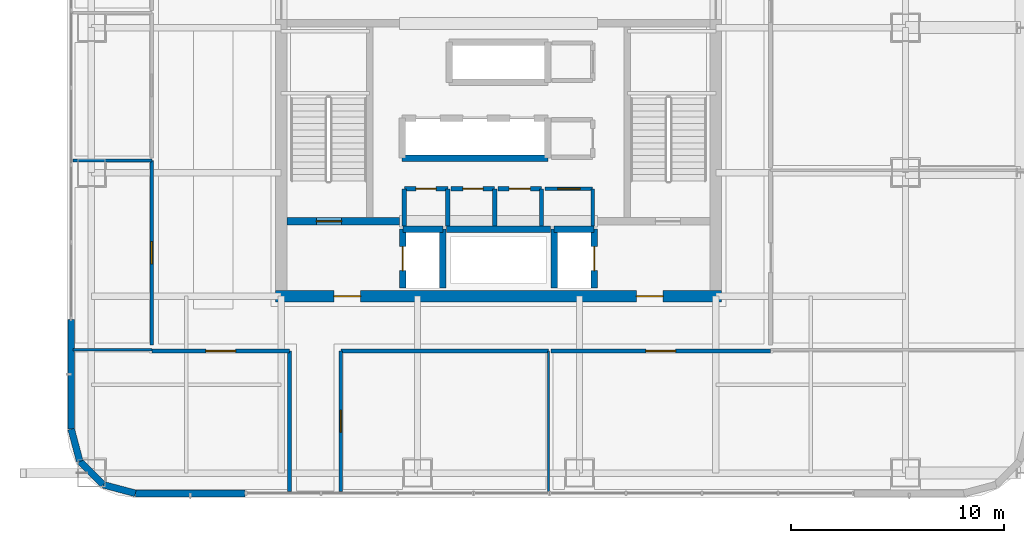
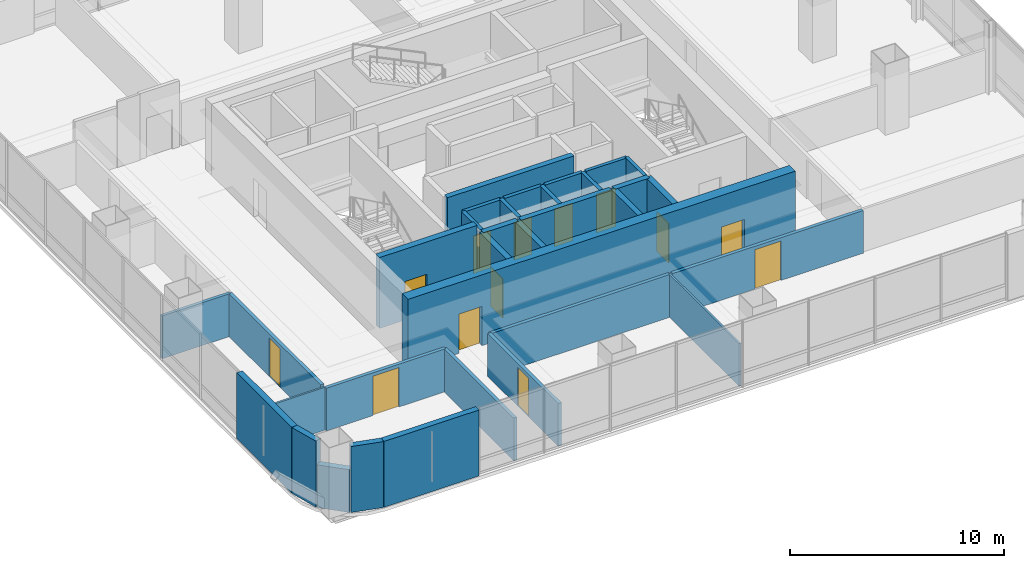
# One storey, part 36 of 51: 33 walls, 13 doors, 13 openings.
"""IFC4 building model written with IfcOpenShell, lengths in metres."""

from ifc_helpers import new_model, si_unit, direction, frame, frame_2d, origin, place, context, subcontext, project, spatial, rectangle, extrude, material, layer, layer_set, type_object, element, fill, save


model = new_model("IFC4")

# Units and contexts
model_context = context("Model", 3, precision=1e-05, world=origin(), true_north=direction((0.0, 1.0)))
body_context = subcontext(model_context, "Body", "Model", "MODEL_VIEW")
ifc_project = project(units=[si_unit("LENGTHUNIT", "METRE"), si_unit("AREAUNIT", "SQUARE_METRE"), si_unit("VOLUMEUNIT", "CUBIC_METRE"), si_unit("PLANEANGLEUNIT", "RADIAN"), si_unit("MASSUNIT", "GRAM", prefix="KILO")], contexts=[model_context])

# Site, building, storey
site_placement = place(None, origin())
site = spatial("IfcSite", under=ifc_project, at=site_placement, CompositionType="ELEMENT")
building_placement = place(site_placement, origin())
building = spatial("IfcBuilding", under=site, at=building_placement, Name="Punatoya Terracotta Tower", CompositionType="ELEMENT")
storey_placement = place(building_placement, frame((0.0, 0.0, 279.75)))
storey = spatial("IfcBuildingStorey", under=building, at=storey_placement, Name="L66", CompositionType="ELEMENT", Elevation=279.75)

# Wall, openings, doors
ifc_material_1 = material(Name="Concrete C50/60", Category="concrete")
ifc_layer_1 = layer(ifc_material_1, 0.550048828125)
ifc_layer_set_1 = layer_set([ifc_layer_1], Name="Concrete C50/60")
wall_type_1 = type_object("IfcWallType", Name="WL-COR-550", PredefinedType="SHEAR", material=ifc_layer_set_1)
wall_1_placement = place(storey_placement, frame((10.47509765625, -9.199951171875, 0.0), z_axis=(0.0, 0.0, 1.0), x_axis=(-1.0, 0.0, 0.0)))
wall_1 = element("IfcWall", 1, at=wall_1_placement, inside=storey, type_object=wall_type_1, Name="L66 Core Shear Wall S", PredefinedType="SHEAR", context=body_context, shape_type="SweptSolid", body=[
    extrude(rectangle(XDim=20.9501953125, YDim=0.550048828125, at=frame_2d((10.47509765625, 0.0))), origin(), (0.0, 0.0, 1.0), 4.050048828125),
])
opening_1_placement = place(wall_1_placement, frame((2.75, 0.0, 0.0)))
opening_1 = element("IfcOpeningElement", 2, at=opening_1_placement, cuts=wall_1, Name="Opening FD-L1", PredefinedType="OPENING", context=body_context, shape_type="SweptSolid", body=[
    extrude(rectangle(XDim=1.25, YDim=2.25, at=frame_2d((0.625, 1.125))), frame((0.0, 0.284912109375, 0.0), z_axis=(0.0, -1.0, 0.0), x_axis=(1.0, 0.0, 0.0)), (0.0, 0.0, 1.0), 0.570068359375),
])
opening_2_placement = place(wall_1_placement, frame((16.949951171875, 0.0, 0.0)))
opening_2 = element("IfcOpeningElement", 3, at=opening_2_placement, cuts=wall_1, Name="Opening FD-L1", PredefinedType="OPENING", context=body_context, shape_type="SweptSolid", body=[
    extrude(rectangle(XDim=1.25, YDim=2.25, at=frame_2d((0.625, 1.125))), frame((0.0, 0.284912109375, 0.0), z_axis=(0.0, -1.0, 0.0), x_axis=(1.0, 0.0, 0.0)), (0.0, 0.0, 1.0), 0.570068359375),
])
ifc_material_2 = material(Name="Galvanised Steel Smokeproof Fire Door", Category="steel")
door_type_1 = type_object("IfcDoorType", Name="DR-FFL-1250", OperationType="NOTDEFINED", PredefinedType="DOOR", material=ifc_material_2)
door_1_placement = place(opening_1_placement, origin())
door_1 = element("IfcDoor", 4, at=door_1_placement, inside=storey, type_object=door_type_1, Name="L66 East Firefighting Lobby Corridor Fire Door", OperationType="SINGLE_SWING_LEFT", OverallHeight=2.25, OverallWidth=1.25, PredefinedType="DOOR", context=body_context, shape_type="SweptSolid", body=[
    extrude(rectangle(XDim=1.25, YDim=2.25, at=frame_2d((0.625, 1.125))), frame((0.0, 0.02490234375, 0.0), z_axis=(0.0, -1.0, 0.0), x_axis=(1.0, 0.0, 0.0)), (0.0, 0.0, 1.0), 0.050048828125),
])
fill(opening_1, door_1)
door_2_placement = place(opening_2_placement, origin())
door_2 = element("IfcDoor", 5, at=door_2_placement, inside=storey, type_object=door_type_1, Name="L66 West Firefighting Lobby Corridor Fire Door", OperationType="SINGLE_SWING_RIGHT", OverallHeight=2.25, OverallWidth=1.25, PredefinedType="DOOR", context=body_context, shape_type="SweptSolid", body=[
    extrude(rectangle(XDim=1.25, YDim=2.25, at=frame_2d((0.625, 1.125))), frame((0.0, 0.02490234375, 0.0), z_axis=(0.0, -1.0, 0.0), x_axis=(1.0, 0.0, 0.0)), (0.0, 0.0, 1.0), 0.050048828125),
])
fill(opening_2, door_2)

# Wall
ifc_material_3 = material(Name="Gypsum Fireboard + Steel Stud", Category="steel")
ifc_layer_2 = layer(ifc_material_3, 0.179931640625)
ifc_layer_set_2 = layer_set([ifc_layer_2], Name="Gypsum Fireboard + Steel Stud")
wall_type_2 = type_object("IfcWallType", Name="WL-CORR-180", PredefinedType="PARTITIONING", material=ifc_layer_set_2)
wall_2_placement = place(storey_placement, frame((4.419921875, -5.89990234375, 0.0), z_axis=(0.0, 0.0, 1.0), x_axis=(0.0, 1.0, 0.0)))
element("IfcWall", 6, at=wall_2_placement, inside=storey, type_object=wall_type_2, Name="L66 Core Reprographics Studio Partition 08", PredefinedType="PARTITIONING", context=body_context, shape_type="SweptSolid", body=[
    extrude(rectangle(XDim=1.739990234375, YDim=0.179931640625, at=frame_2d((0.8701171875, 0.0))), origin(), (0.0, 0.0, 1.0), 3.77001953125),
])

# Wall, opening, door
wall_3_placement = place(storey_placement, frame((4.419921875, -4.159912109375, 0.0), z_axis=(0.0, 0.0, 1.0), x_axis=(-1.0, 0.0, 0.0)))
wall_3 = element("IfcWall", 7, at=wall_3_placement, inside=storey, type_object=wall_type_2, Name="L66 Core Reprographics Studio Partition 09", PredefinedType="PARTITIONING", context=body_context, shape_type="SweptSolid", body=[
    extrude(rectangle(XDim=2.239990234375, YDim=0.179931640625, at=frame_2d((1.1201171875, 0.0))), origin(), (0.0, 0.0, 1.0), 3.77001953125),
])
opening_3_placement = place(wall_3_placement, frame((0.594970703125, 0.0, 0.0)))
opening_3 = element("IfcOpeningElement", 8, at=opening_3_placement, cuts=wall_3, Name="Opening OD-01", PredefinedType="OPENING", context=body_context, shape_type="SweptSolid", body=[
    extrude(rectangle(XDim=1.050048828125, YDim=2.199951171875, at=frame_2d((0.52490234375, 1.10009765625))), frame((0.0, 0.099853515625, 0.0), z_axis=(0.0, -1.0, 0.0), x_axis=(1.0, 0.0, 0.0)), (0.0, 0.0, 1.0), 0.199951171875),
])
ifc_material_4 = material(Name="Bengal Teak Solid-Core Leaf")
door_type_2 = type_object("IfcDoorType", Name="DR-OFF-1050", OperationType="NOTDEFINED", PredefinedType="DOOR", material=ifc_material_4)
door_3_placement = place(opening_3_placement, origin())
door_3 = element("IfcDoor", 9, at=door_3_placement, inside=storey, type_object=door_type_2, Name="L66 Reprographics Studio Door", OperationType="SINGLE_SWING_LEFT", OverallHeight=2.199951171875, OverallWidth=1.050048828125, PredefinedType="DOOR", context=body_context, shape_type="SweptSolid", body=[
    extrude(rectangle(XDim=1.050048828125, YDim=2.199951171875, at=frame_2d((0.52490234375, 1.10009765625))), frame((0.0, 0.02490234375, 0.0), z_axis=(0.0, -1.0, 0.0), x_axis=(1.0, 0.0, 0.0)), (0.0, 0.0, 1.0), 0.050048828125),
])
fill(opening_3, door_3)

wall_4_placement = place(storey_placement, frame((-7.39990234375, -18.3701171875, 0.0), z_axis=(0.0, 0.0, 1.0), x_axis=(0.0, 1.0, 0.0)))
wall_4 = element("IfcWall", 10, at=wall_4_placement, inside=storey, type_object=wall_type_2, Name="L66 Open-Plan Plenary Seminar Room Partition 25", PredefinedType="PARTITIONING", context=body_context, shape_type="SweptSolid", body=[
    extrude(rectangle(XDim=6.60009765625, YDim=0.179931640625, at=frame_2d((3.300048828125, 0.0))), origin(), (0.0, 0.0, 1.0), 2.444091796875),
])
opening_4_placement = place(wall_4_placement, frame((2.7900390625, 0.0, 0.0)))
opening_4 = element("IfcOpeningElement", 11, at=opening_4_placement, cuts=wall_4, Name="Opening MD-01", PredefinedType="OPENING", context=body_context, shape_type="SweptSolid", body=[
    extrude(rectangle(XDim=1.02001953125, YDim=2.199951171875, at=frame_2d((0.510009765625, 1.10009765625))), frame((0.0, 0.099853515625, 0.0), z_axis=(0.0, -1.0, 0.0), x_axis=(1.0, 0.0, 0.0)), (0.0, 0.0, 1.0), 0.199951171875),
])
ifc_material_5 = material(Name="Aluminium + Acoustic Glass Leaf", Category="aluminium")
door_type_3 = type_object("IfcDoorType", Name="DR-MTG-1020", OperationType="NOTDEFINED", PredefinedType="DOOR", material=ifc_material_5)
door_4_placement = place(opening_4_placement, origin())
door_4 = element("IfcDoor", 12, at=door_4_placement, inside=storey, type_object=door_type_3, Name="L66 Open-Plan Plenary Seminar Room Door", OperationType="SINGLE_SWING_LEFT", OverallHeight=2.199951171875, OverallWidth=1.02001953125, PredefinedType="DOOR", context=body_context, shape_type="SweptSolid", body=[
    extrude(rectangle(XDim=1.02001953125, YDim=2.199951171875, at=frame_2d((0.510009765625, 1.10009765625))), frame((0.0, 0.02490234375, 0.0), z_axis=(0.0, -1.0, 0.0), x_axis=(1.0, 0.0, 0.0)), (0.0, 0.0, 1.0), 0.050048828125),
])
fill(opening_4, door_4)

# Wall
wall_5_placement = place(storey_placement, frame((-7.39990234375, -11.77001953125, 0.0), z_axis=(0.0, 0.0, 1.0), x_axis=(1.0, 0.0, 0.0)))
element("IfcWall", 13, at=wall_5_placement, inside=storey, type_object=wall_type_2, Name="L66 Open-Plan Plenary Seminar Room Partition 26", PredefinedType="PARTITIONING", context=body_context, shape_type="SweptSolid", body=[
    extrude(rectangle(XDim=9.739990234375, YDim=0.179931640625, at=frame_2d((4.8701171875, 0.0))), origin(), (0.0, 0.0, 1.0), 2.444091796875),
])

# Wall, opening, door
wall_6_placement = place(storey_placement, frame((-16.27001953125, -11.77001953125, 0.0), z_axis=(0.0, 0.0, 1.0), x_axis=(1.0, 0.0, 0.0)))
wall_6 = element("IfcWall", 14, at=wall_6_placement, inside=storey, type_object=wall_type_2, Name="L66 Open-Plan Client Strategy Boardroom Partition 29", PredefinedType="PARTITIONING", context=body_context, shape_type="SweptSolid", body=[
    extrude(rectangle(XDim=6.469970703125, YDim=0.179931640625, at=frame_2d((3.23486328125, 0.0))), origin(), (0.0, 0.0, 1.0), 2.444091796875),
])
opening_5_placement = place(wall_6_placement, frame((2.534912109375, 0.0, 0.0)))
opening_5 = element("IfcOpeningElement", 15, at=opening_5_placement, cuts=wall_6, Name="Opening BD-01", PredefinedType="OPENING", context=body_context, shape_type="SweptSolid", body=[
    extrude(rectangle(XDim=1.39990234375, YDim=2.25, at=frame_2d((0.699951171875, 1.125))), frame((0.0, 0.099853515625, 0.0), z_axis=(0.0, -1.0, 0.0), x_axis=(1.0, 0.0, 0.0)), (0.0, 0.0, 1.0), 0.199951171875),
])
ifc_material_6 = material(Name="Bengal Teak Acoustic Leaf")
door_type_4 = type_object("IfcDoorType", Name="DR-BRD-1400", OperationType="NOTDEFINED", PredefinedType="DOOR", material=ifc_material_6)
door_5_placement = place(opening_5_placement, origin())
door_5 = element("IfcDoor", 16, at=door_5_placement, inside=storey, type_object=door_type_4, Name="L66 Open-Plan Client Strategy Boardroom Door", OperationType="SINGLE_SWING_RIGHT", OverallHeight=2.25, OverallWidth=1.39990234375, PredefinedType="DOOR", context=body_context, shape_type="SweptSolid", body=[
    extrude(rectangle(XDim=1.39990234375, YDim=2.25, at=frame_2d((0.699951171875, 1.125))), frame((0.0, 0.02490234375, 0.0), z_axis=(0.0, -1.0, 0.0), x_axis=(1.0, 0.0, 0.0)), (0.0, 0.0, 1.0), 0.050048828125),
])
fill(opening_5, door_5)

# Wall
wall_7_placement = place(storey_placement, frame((-9.800048828125, -11.77001953125, 0.0), z_axis=(0.0, 0.0, 1.0), x_axis=(0.0, -1.0, 0.0)))
element("IfcWall", 17, at=wall_7_placement, inside=storey, type_object=wall_type_2, Name="L66 Open-Plan Client Strategy Boardroom Partition 30", PredefinedType="PARTITIONING", context=body_context, shape_type="SweptSolid", body=[
    extrude(rectangle(XDim=6.60009765625, YDim=0.179931640625, at=frame_2d((3.300048828125, 0.0))), origin(), (0.0, 0.0, 1.0), 2.444091796875),
])

# Wall, opening, door
wall_8_placement = place(storey_placement, frame((2.4599609375, -11.77001953125, 0.0), z_axis=(0.0, 0.0, 1.0), x_axis=(1.0, 0.0, 0.0)))
wall_8 = element("IfcWall", 18, at=wall_8_placement, inside=storey, type_object=wall_type_2, Name="L66 Open-Plan Collaborative Workshop Room Partition 31", PredefinedType="PARTITIONING", context=body_context, shape_type="SweptSolid", body=[
    extrude(rectangle(XDim=10.31005859375, YDim=0.179931640625, at=frame_2d((5.155029296875, 0.0))), origin(), (0.0, 0.0, 1.0), 2.444091796875),
])
opening_6_placement = place(wall_8_placement, frame((4.455078125, 0.0, 0.0)))
opening_6 = element("IfcOpeningElement", 19, at=opening_6_placement, cuts=wall_8, Name="Opening BD-01", PredefinedType="OPENING", context=body_context, shape_type="SweptSolid", body=[
    extrude(rectangle(XDim=1.39990234375, YDim=2.25, at=frame_2d((0.699951171875, 1.125))), frame((0.0, 0.099853515625, 0.0), z_axis=(0.0, -1.0, 0.0), x_axis=(1.0, 0.0, 0.0)), (0.0, 0.0, 1.0), 0.199951171875),
])
door_6_placement = place(opening_6_placement, origin())
door_6 = element("IfcDoor", 20, at=door_6_placement, inside=storey, type_object=door_type_4, Name="L66 Open-Plan Collaborative Workshop Room Door", OperationType="SINGLE_SWING_LEFT", OverallHeight=2.25, OverallWidth=1.39990234375, PredefinedType="DOOR", context=body_context, shape_type="SweptSolid", body=[
    extrude(rectangle(XDim=1.39990234375, YDim=2.25, at=frame_2d((0.699951171875, 1.125))), frame((0.0, 0.02490234375, 0.0), z_axis=(0.0, -1.0, 0.0), x_axis=(1.0, 0.0, 0.0)), (0.0, 0.0, 1.0), 0.050048828125),
])
fill(opening_6, door_6)

wall_9_placement = place(storey_placement, frame((-16.27001953125, -2.83203125, 0.0), z_axis=(0.0, 0.0, 1.0), x_axis=(0.0, -1.0, 0.0)))
wall_9 = element("IfcWall", 21, at=wall_9_placement, inside=storey, type_object=wall_type_2, Name="L66 Open-Plan Breakout Tea Pantry Partition 36", PredefinedType="PARTITIONING", context=body_context, shape_type="SweptSolid", body=[
    extrude(rectangle(XDim=8.657958984375, YDim=0.179931640625, at=frame_2d((4.3291015625, 0.0))), origin(), (0.0, 0.0, 1.0), 2.444091796875),
])
opening_7_placement = place(wall_9_placement, frame((3.803955078125, 0.0, 0.0)))
opening_7 = element("IfcOpeningElement", 22, at=opening_7_placement, cuts=wall_9, Name="Opening OD-01", PredefinedType="OPENING", context=body_context, shape_type="SweptSolid", body=[
    extrude(rectangle(XDim=1.050048828125, YDim=2.199951171875, at=frame_2d((0.52490234375, 1.10009765625))), frame((0.0, 0.099853515625, 0.0), z_axis=(0.0, -1.0, 0.0), x_axis=(1.0, 0.0, 0.0)), (0.0, 0.0, 1.0), 0.199951171875),
])
door_7_placement = place(opening_7_placement, origin())
door_7 = element("IfcDoor", 23, at=door_7_placement, inside=storey, type_object=door_type_2, Name="L66 Open-Plan Breakout Tea Pantry Door", OperationType="SINGLE_SWING_LEFT", OverallHeight=2.199951171875, OverallWidth=1.050048828125, PredefinedType="DOOR", context=body_context, shape_type="SweptSolid", body=[
    extrude(rectangle(XDim=1.050048828125, YDim=2.199951171875, at=frame_2d((0.52490234375, 1.10009765625))), frame((0.0, 0.02490234375, 0.0), z_axis=(0.0, -1.0, 0.0), x_axis=(1.0, 0.0, 0.0)), (0.0, 0.0, 1.0), 0.050048828125),
])
fill(opening_7, door_7)

# Walls
ifc_material_7 = material(Name="Precast concrete C40/50", Category="concrete")
ifc_layer_3 = layer(ifc_material_7, 0.320068359375)
ifc_layer_set_3 = layer_set([ifc_layer_3], Name="Precast concrete C40/50")
wall_type_3 = type_object("IfcWallType", Name="WL-EXT-320", PredefinedType="SOLIDWALL", material=ifc_layer_set_3)
for number, where, z_axis, x_axis, name in (
    (24, (-17.036865234375, -18.449951171875, 0.0), (0.0, 0.0, 1.0), (1.0, 0.0, 0.0), "L66 Terracotta Braced Facade Wall S1"),
    (25, (-20.050048828125, -10.300048828125, 0.0), (0.0, 0.0, 1.0), (0.0, -1.0, 0.0), "L66 Terracotta Braced Facade Wall W2"),
):
    element("IfcWall", number, at=place(storey_placement, frame(where, z_axis=z_axis, x_axis=x_axis)), inside=storey, type_object=wall_type_3, Name=name, PredefinedType="SOLIDWALL", context=body_context, shape_type="SweptSolid", body=[
        extrude(rectangle(XDim=5.136962890625, YDim=0.320068359375, at=frame_2d((2.568359375, 0.0))), origin(), (0.0, 0.0, 1.0), 3.77001953125),
    ])
wall_10_placement = place(storey_placement, frame((-20.050048828125, -15.43701171875, 0.0), z_axis=(0.0, 0.0, 1.0), x_axis=(0.257847112249, -0.966185730957, 0.0)))
element("IfcWall", 26, at=wall_10_placement, inside=storey, type_object=wall_type_3, Name="L66 Rounded Terracotta Corner Pier 14", PredefinedType="SOLIDWALL", context=body_context, shape_type="SweptSolid", body=[
    extrude(rectangle(XDim=1.565185546875, YDim=0.320068359375, at=frame_2d((0.78271484375, 0.0))), origin(), (0.0, 0.0, 1.0), 3.77001953125),
])
wall_11_placement = place(storey_placement, frame((-19.646484375, -16.94921875, 0.0), z_axis=(0.0, 0.0, 1.0), x_axis=(0.707106781187, -0.707106781187, 0.0)))
element("IfcWall", 27, at=wall_11_placement, inside=storey, type_object=wall_type_3, Name="L66 Rounded Terracotta Corner Pier 15", PredefinedType="SOLIDWALL", context=body_context, shape_type="SweptSolid", body=[
    extrude(rectangle(XDim=1.552001953125, YDim=0.320068359375, at=frame_2d((0.77587890625, 0.0))), origin(), (0.0, 0.0, 1.0), 2.444091796875),
])
wall_12_placement = place(storey_placement, frame((-18.549072265625, -18.046630859375, 0.0), z_axis=(0.0, 0.0, 1.0), x_axis=(0.966224582397, -0.257701486942, 0.0)))
element("IfcWall", 28, at=wall_12_placement, inside=storey, type_object=wall_type_3, Name="L66 Rounded Terracotta Corner Pier 16", PredefinedType="SOLIDWALL", context=body_context, shape_type="SweptSolid", body=[
    extrude(rectangle(XDim=1.565185546875, YDim=0.320068359375, at=frame_2d((0.78271484375, 0.0))), origin(), (0.0, 0.0, 1.0), 3.77001953125),
])
ifc_material_8 = material(Name="Aluminium Framed Acoustic Glass Partition", Category="aluminium")
ifc_layer_4 = layer(ifc_material_8, 0.10009765625)
ifc_layer_set_4 = layer_set([ifc_layer_4], Name="Aluminium Framed Acoustic Glass Partition")
wall_type_4 = type_object("IfcWallType", Name="WL-GLZ-100", PredefinedType="PARTITIONING", material=ifc_layer_set_4)
wall_13_placement = place(storey_placement, frame((2.340087890625, -11.77001953125, 0.0), z_axis=(0.0, 0.0, 1.0), x_axis=(0.0, -1.0, 0.0)))
element("IfcWall", 29, at=wall_13_placement, inside=storey, type_object=wall_type_4, Name="L66 Open-Plan Plenary Seminar Room Partition 27", PredefinedType="PARTITIONING", context=body_context, shape_type="SweptSolid", body=[
    extrude(rectangle(XDim=6.60009765625, YDim=0.10009765625, at=frame_2d((3.300048828125, 0.0))), origin(), (0.0, 0.0, 1.0), 2.444091796875),
])
wall_14_placement = place(storey_placement, frame((-19.969970703125, -11.7099609375, 0.0), z_axis=(0.0, 0.0, 1.0), x_axis=(1.0, 0.0, 0.0)))
element("IfcWall", 30, at=wall_14_placement, inside=storey, type_object=wall_type_4, Name="L66 Open-Plan Client Strategy Boardroom Partition 28", PredefinedType="PARTITIONING", context=body_context, shape_type="SweptSolid", body=[
    extrude(rectangle(XDim=3.699951171875, YDim=0.10009765625, at=frame_2d((1.85009765625, 0.0))), origin(), (0.0, 0.0, 1.0), 2.444091796875),
])
ifc_material_9 = material(Name="Concrete C40/50", Category="concrete")
ifc_layer_5 = layer(ifc_material_9, 0.199951171875)
ifc_layer_set_5 = layer_set([ifc_layer_5], Name="Concrete C40/50")
wall_type_5 = type_object("IfcWallType", Name="WL-INT-200", PredefinedType="SOLIDWALL", material=ifc_layer_set_5)
wall_15_placement = place(storey_placement, frame((-2.3798828125, -5.89990234375, 0.0), z_axis=(0.0, 0.0, 1.0), x_axis=(0.0, 1.0, 0.0)))
element("IfcWall", 31, at=wall_15_placement, inside=storey, type_object=wall_type_5, Name="L66 Male Washroom Partition 01", PredefinedType="SOLIDWALL", context=body_context, shape_type="SweptSolid", body=[
    extrude(rectangle(XDim=1.739990234375, YDim=0.199951171875, at=frame_2d((0.8701171875, 0.0))), origin(), (0.0, 0.0, 1.0), 3.77001953125),
])

# Wall, opening, door
wall_16_placement = place(storey_placement, frame((-2.3798828125, -4.159912109375, 0.0), z_axis=(0.0, 0.0, 1.0), x_axis=(-1.0, 0.0, 0.0)))
wall_16 = element("IfcWall", 32, at=wall_16_placement, inside=storey, type_object=wall_type_5, Name="L66 Male Washroom Partition 02", PredefinedType="SOLIDWALL", context=body_context, shape_type="SweptSolid", body=[
    extrude(rectangle(XDim=2.0400390625, YDim=0.199951171875, at=frame_2d((1.02001953125, 0.0))), origin(), (0.0, 0.0, 1.0), 3.77001953125),
])
opening_8_placement = place(wall_16_placement, frame((0.544921875, 0.0, 0.0)))
opening_8 = element("IfcOpeningElement", 33, at=opening_8_placement, cuts=wall_16, Name="Opening WD-01", PredefinedType="OPENING", context=body_context, shape_type="SweptSolid", body=[
    extrude(rectangle(XDim=0.949951171875, YDim=2.14990234375, at=frame_2d((0.47509765625, 1.074951171875))), frame((0.0, 0.10986328125, 0.0), z_axis=(0.0, -1.0, 0.0), x_axis=(1.0, 0.0, 0.0)), (0.0, 0.0, 1.0), 0.219970703125),
])
ifc_material_10 = material(Name="Moisture-Resistant Laminate Timber Leaf", Category="wood")
door_type_5 = type_object("IfcDoorType", Name="DR-WC-950", OperationType="NOTDEFINED", PredefinedType="DOOR", material=ifc_material_10)
door_8_placement = place(opening_8_placement, origin())
door_8 = element("IfcDoor", 34, at=door_8_placement, inside=storey, type_object=door_type_5, Name="L66 Male Washroom Door", OperationType="SINGLE_SWING_RIGHT", OverallHeight=2.14990234375, OverallWidth=0.949951171875, PredefinedType="DOOR", context=body_context, shape_type="SweptSolid", body=[
    extrude(rectangle(XDim=0.949951171875, YDim=2.14990234375, at=frame_2d((0.47509765625, 1.074951171875))), frame((0.0, 0.02490234375, 0.0), z_axis=(0.0, -1.0, 0.0), x_axis=(1.0, 0.0, 0.0)), (0.0, 0.0, 1.0), 0.050048828125),
])
fill(opening_8, door_8)

# Walls
for number, where, z_axis, x_axis, name in (
    (35, (-4.419921875, -4.159912109375, 0.0), (0.0, 0.0, 1.0), (0.0, -1.0, 0.0), "L66 Male Washroom Partition 03"),
    (36, (-0.179931640625, -5.89990234375, 0.0), (0.0, 0.0, 1.0), (0.0, 1.0, 0.0), "L66 Female Washroom Partition 04"),
):
    element("IfcWall", number, at=place(storey_placement, frame(where, z_axis=z_axis, x_axis=x_axis)), inside=storey, type_object=wall_type_5, Name=name, PredefinedType="SOLIDWALL", context=body_context, shape_type="SweptSolid", body=[
        extrude(rectangle(XDim=1.739990234375, YDim=0.199951171875, at=frame_2d((0.8701171875, 0.0))), origin(), (0.0, 0.0, 1.0), 3.77001953125),
    ])

# Wall, opening, door
wall_17_placement = place(storey_placement, frame((-0.179931640625, -4.159912109375, 0.0), z_axis=(0.0, 0.0, 1.0), x_axis=(-1.0, 0.0, 0.0)))
wall_17 = element("IfcWall", 37, at=wall_17_placement, inside=storey, type_object=wall_type_5, Name="L66 Female Washroom Partition 05", PredefinedType="SOLIDWALL", context=body_context, shape_type="SweptSolid", body=[
    extrude(rectangle(XDim=2.0400390625, YDim=0.199951171875, at=frame_2d((1.02001953125, 0.0))), origin(), (0.0, 0.0, 1.0), 3.77001953125),
])
opening_9_placement = place(wall_17_placement, frame((0.544921875, 0.0, 0.0)))
opening_9 = element("IfcOpeningElement", 38, at=opening_9_placement, cuts=wall_17, Name="Opening WD-01", PredefinedType="OPENING", context=body_context, shape_type="SweptSolid", body=[
    extrude(rectangle(XDim=0.949951171875, YDim=2.14990234375, at=frame_2d((0.47509765625, 1.074951171875))), frame((0.0, 0.10986328125, 0.0), z_axis=(0.0, -1.0, 0.0), x_axis=(1.0, 0.0, 0.0)), (0.0, 0.0, 1.0), 0.219970703125),
])
door_9_placement = place(opening_9_placement, origin())
door_9 = element("IfcDoor", 39, at=door_9_placement, inside=storey, type_object=door_type_5, Name="L66 Female Washroom Door", OperationType="SINGLE_SWING_LEFT", OverallHeight=2.14990234375, OverallWidth=0.949951171875, PredefinedType="DOOR", context=body_context, shape_type="SweptSolid", body=[
    extrude(rectangle(XDim=0.949951171875, YDim=2.14990234375, at=frame_2d((0.47509765625, 1.074951171875))), frame((0.0, 0.02490234375, 0.0), z_axis=(0.0, -1.0, 0.0), x_axis=(1.0, 0.0, 0.0)), (0.0, 0.0, 1.0), 0.050048828125),
])
fill(opening_9, door_9)

# Wall
wall_18_placement = place(storey_placement, frame((2.02001953125, -5.89990234375, 0.0), z_axis=(0.0, 0.0, 1.0), x_axis=(0.0, 1.0, 0.0)))
element("IfcWall", 40, at=wall_18_placement, inside=storey, type_object=wall_type_5, Name="L66 Accessible Universal Washroom Partition 06", PredefinedType="SOLIDWALL", context=body_context, shape_type="SweptSolid", body=[
    extrude(rectangle(XDim=1.739990234375, YDim=0.199951171875, at=frame_2d((0.8701171875, 0.0))), origin(), (0.0, 0.0, 1.0), 3.77001953125),
])

# Wall, opening, door
wall_19_placement = place(storey_placement, frame((2.02001953125, -4.159912109375, 0.0), z_axis=(0.0, 0.0, 1.0), x_axis=(-1.0, 0.0, 0.0)))
wall_19 = element("IfcWall", 41, at=wall_19_placement, inside=storey, type_object=wall_type_5, Name="L66 Accessible Universal Washroom Partition 07", PredefinedType="SOLIDWALL", context=body_context, shape_type="SweptSolid", body=[
    extrude(rectangle(XDim=2.0400390625, YDim=0.199951171875, at=frame_2d((1.02001953125, 0.0))), origin(), (0.0, 0.0, 1.0), 3.77001953125),
])
opening_10_placement = place(wall_19_placement, frame((0.52001953125, 0.0, 0.0)))
opening_10 = element("IfcOpeningElement", 42, at=opening_10_placement, cuts=wall_19, Name="Opening AWD-1", PredefinedType="OPENING", context=body_context, shape_type="SweptSolid", body=[
    extrude(rectangle(XDim=1.0, YDim=2.14990234375, at=frame_2d((0.5, 1.074951171875))), frame((0.0, 0.10986328125, 0.0), z_axis=(0.0, -1.0, 0.0), x_axis=(1.0, 0.0, 0.0)), (0.0, 0.0, 1.0), 0.219970703125),
])
ifc_material_11 = material(Name="Bengal Teak Accessible WC Leaf")
door_type_6 = type_object("IfcDoorType", Name="DR-ACC-1000", OperationType="NOTDEFINED", PredefinedType="DOOR", material=ifc_material_11)
door_10_placement = place(opening_10_placement, origin())
door_10 = element("IfcDoor", 43, at=door_10_placement, inside=storey, type_object=door_type_6, Name="L66 Accessible Universal Washroom Door", OperationType="SINGLE_SWING_RIGHT", OverallHeight=2.14990234375, OverallWidth=1.0, PredefinedType="DOOR", context=body_context, shape_type="SweptSolid", body=[
    extrude(rectangle(XDim=1.0, YDim=2.14990234375, at=frame_2d((0.5, 1.074951171875))), frame((0.0, 0.02490234375, 0.0), z_axis=(0.0, -1.0, 0.0), x_axis=(1.0, 0.0, 0.0)), (0.0, 0.0, 1.0), 0.050048828125),
])
fill(opening_10, door_10)

ifc_layer_6 = layer(ifc_material_9, 0.300048828125)
ifc_layer_set_6 = layer_set([ifc_layer_6], Name="Concrete C40/50")
wall_type_6 = type_object("IfcWallType", Name="WL-SHF-300", PredefinedType="SOLIDWALL", material=ifc_layer_set_6)
wall_20_placement = place(storey_placement, frame((-4.489990234375, -8.820068359375, 0.0), z_axis=(0.0, 0.0, 1.0), x_axis=(0.0, 1.0, 0.0)))
wall_20 = element("IfcWall", 44, at=wall_20_placement, inside=storey, type_object=wall_type_6, Name="L66 FFL-1 Front Hoistway Wall", PredefinedType="SOLIDWALL", context=body_context, shape_type="SweptSolid", body=[
    extrude(rectangle(XDim=2.77001953125, YDim=0.300048828125, at=frame_2d((1.385009765625, 0.0))), origin(), (0.0, 0.0, 1.0), 3.77001953125),
])
opening_11_placement = place(wall_20_placement, frame((0.824951171875, 0.0, 0.0)))
opening_11 = element("IfcOpeningElement", 45, at=opening_11_placement, cuts=wall_20, Name="Opening LD-02", PredefinedType="OPENING", context=body_context, shape_type="SweptSolid", body=[
    extrude(rectangle(XDim=1.1201171875, YDim=2.25, at=frame_2d((0.56005859375, 1.125))), frame((0.0, 0.159912109375, 0.0), z_axis=(0.0, -1.0, 0.0), x_axis=(1.0, 0.0, 0.0)), (0.0, 0.0, 1.0), 0.320068359375),
])
ifc_material_12 = material(Name="Stainless Steel Lift Landing Door", Category="steel")
door_type_7 = type_object("IfcDoorType", Name="DR-LND-1120", OperationType="NOTDEFINED", PredefinedType="DOOR", material=ifc_material_12)
door_11_placement = place(opening_11_placement, origin())
door_11 = element("IfcDoor", 46, at=door_11_placement, inside=storey, type_object=door_type_7, Name="L66 Firefighting Lift FFL-1 Sliding Landing Door", OperationType="SLIDING_TO_LEFT", OverallHeight=2.25, OverallWidth=1.1201171875, PredefinedType="DOOR", context=body_context, shape_type="SweptSolid", body=[
    extrude(rectangle(XDim=1.1201171875, YDim=2.25, at=frame_2d((0.56005859375, 1.125))), frame((0.0, 0.02490234375, 0.0), z_axis=(0.0, -1.0, 0.0), x_axis=(1.0, 0.0, 0.0)), (0.0, 0.0, 1.0), 0.050048828125),
])
fill(opening_11, door_11)

# Walls
wall_21_placement = place(storey_placement, frame((-2.610107421875, -8.820068359375, 0.0), z_axis=(0.0, 0.0, 1.0), x_axis=(0.0, 1.0, 0.0)))
element("IfcWall", 47, at=wall_21_placement, inside=storey, type_object=wall_type_6, Name="L66 FFL-1 Rear Hoistway Wall", PredefinedType="SOLIDWALL", context=body_context, shape_type="SweptSolid", body=[
    extrude(rectangle(XDim=2.77001953125, YDim=0.300048828125, at=frame_2d((1.385009765625, 0.0))), origin(), (0.0, 0.0, 1.0), 3.77001953125),
])
wall_22_placement = place(storey_placement, frame((-4.489990234375, -6.050048828125, 0.0), z_axis=(0.0, 0.0, 1.0), x_axis=(1.0, 0.0, 0.0)))
element("IfcWall", 48, at=wall_22_placement, inside=storey, type_object=wall_type_6, Name="L66 FFL-1 North Hoistway Wall", PredefinedType="SOLIDWALL", context=body_context, shape_type="SweptSolid", body=[
    extrude(rectangle(XDim=1.8798828125, YDim=0.300048828125, at=frame_2d((0.93994140625, 0.0))), origin(), (0.0, 0.0, 1.0), 3.77001953125),
])

# Wall, opening, door
wall_23_placement = place(storey_placement, frame((4.489990234375, -8.820068359375, 0.0), z_axis=(0.0, 0.0, 1.0), x_axis=(0.0, 1.0, 0.0)))
wall_23 = element("IfcWall", 49, at=wall_23_placement, inside=storey, type_object=wall_type_6, Name="L66 FFL-2 Front Hoistway Wall", PredefinedType="SOLIDWALL", context=body_context, shape_type="SweptSolid", body=[
    extrude(rectangle(XDim=2.77001953125, YDim=0.300048828125, at=frame_2d((1.385009765625, 0.0))), origin(), (0.0, 0.0, 1.0), 3.77001953125),
])
opening_12_placement = place(wall_23_placement, frame((0.824951171875, 0.0, 0.0)))
opening_12 = element("IfcOpeningElement", 50, at=opening_12_placement, cuts=wall_23, Name="Opening LD-02", PredefinedType="OPENING", context=body_context, shape_type="SweptSolid", body=[
    extrude(rectangle(XDim=1.1201171875, YDim=2.25, at=frame_2d((0.56005859375, 1.125))), frame((0.0, 0.159912109375, 0.0), z_axis=(0.0, -1.0, 0.0), x_axis=(1.0, 0.0, 0.0)), (0.0, 0.0, 1.0), 0.320068359375),
])
door_12_placement = place(opening_12_placement, origin())
door_12 = element("IfcDoor", 51, at=door_12_placement, inside=storey, type_object=door_type_7, Name="L66 Firefighting Lift FFL-2 Sliding Landing Door", OperationType="SLIDING_TO_RIGHT", OverallHeight=2.25, OverallWidth=1.1201171875, PredefinedType="DOOR", context=body_context, shape_type="SweptSolid", body=[
    extrude(rectangle(XDim=1.1201171875, YDim=2.25, at=frame_2d((0.56005859375, 1.125))), frame((0.0, 0.02490234375, 0.0), z_axis=(0.0, -1.0, 0.0), x_axis=(1.0, 0.0, 0.0)), (0.0, 0.0, 1.0), 0.050048828125),
])
fill(opening_12, door_12)

# Walls
wall_24_placement = place(storey_placement, frame((2.610107421875, -8.820068359375, 0.0), z_axis=(0.0, 0.0, 1.0), x_axis=(0.0, 1.0, 0.0)))
element("IfcWall", 52, at=wall_24_placement, inside=storey, type_object=wall_type_6, Name="L66 FFL-2 Rear Hoistway Wall", PredefinedType="SOLIDWALL", context=body_context, shape_type="SweptSolid", body=[
    extrude(rectangle(XDim=2.77001953125, YDim=0.300048828125, at=frame_2d((1.385009765625, 0.0))), origin(), (0.0, 0.0, 1.0), 3.77001953125),
])
wall_25_placement = place(storey_placement, frame((2.610107421875, -6.050048828125, 0.0), z_axis=(0.0, 0.0, 1.0), x_axis=(1.0, 0.0, 0.0)))
element("IfcWall", 53, at=wall_25_placement, inside=storey, type_object=wall_type_6, Name="L66 FFL-2 North Hoistway Wall", PredefinedType="SOLIDWALL", context=body_context, shape_type="SweptSolid", body=[
    extrude(rectangle(XDim=1.8798828125, YDim=0.300048828125, at=frame_2d((0.93994140625, 0.0))), origin(), (0.0, 0.0, 1.0), 3.77001953125),
])
wall_26_placement = place(storey_placement, frame((-4.52001953125, -2.719970703125, 0.0), z_axis=(0.0, 0.0, 1.0), x_axis=(1.0, 0.0, 0.0)))
element("IfcWall", 54, at=wall_26_placement, inside=storey, type_object=wall_type_6, Name="L66 South Lift Bank Rear Shaft Wall", PredefinedType="SOLIDWALL", context=body_context, shape_type="SweptSolid", body=[
    extrude(rectangle(XDim=6.840087890625, YDim=0.300048828125, at=frame_2d((3.419921875, 0.0))), origin(), (0.0, 0.0, 1.0), 3.77001953125),
])
wall_27_placement = place(storey_placement, frame((-2.449951171875, -6.050048828125, 0.0), z_axis=(0.0, 0.0, 1.0), x_axis=(1.0, 0.0, 0.0)))
element("IfcWall", 55, at=wall_27_placement, inside=storey, type_object=wall_type_6, Name="L66 Observation Shuttle Rear Hoistway Wall", PredefinedType="SOLIDWALL", context=body_context, shape_type="SweptSolid", body=[
    extrude(rectangle(XDim=4.89990234375, YDim=0.300048828125, at=frame_2d((2.449951171875, 0.0))), origin(), (0.0, 0.0, 1.0), 3.77001953125),
])

# Wall, opening, door
ifc_layer_7 = layer(ifc_material_1, 0.35009765625)
ifc_layer_set_7 = layer_set([ifc_layer_7], Name="Concrete C50/60")
wall_type_7 = type_object("IfcWallType", Name="WL-SHF-350", PredefinedType="SOLIDWALL", material=ifc_layer_set_7)
wall_28_placement = place(storey_placement, frame((-9.925048828125, -5.679931640625, 0.0), z_axis=(0.0, 0.0, 1.0), x_axis=(1.0, 0.0, 0.0)))
wall_28 = element("IfcWall", 56, at=wall_28_placement, inside=storey, type_object=wall_type_7, Name="L66 Core Web Wall CSW-L", PredefinedType="SOLIDWALL", context=body_context, shape_type="SweptSolid", body=[
    extrude(rectangle(XDim=5.275146484375, YDim=0.35009765625, at=frame_2d((2.6376953125, 0.0))), origin(), (0.0, 0.0, 1.0), 4.050048828125),
])
opening_13_placement = place(wall_28_placement, frame((1.385009765625, 0.0, 0.0)))
opening_13 = element("IfcOpeningElement", 57, at=opening_13_placement, cuts=wall_28, Name="Opening SD-01", PredefinedType="OPENING", context=body_context, shape_type="SweptSolid", body=[
    extrude(rectangle(XDim=1.179931640625, YDim=2.199951171875, at=frame_2d((0.58984375, 1.10009765625))), frame((0.0, 0.18505859375, 0.0), z_axis=(0.0, -1.0, 0.0), x_axis=(1.0, 0.0, 0.0)), (0.0, 0.0, 1.0), 0.3701171875),
])
ifc_material_13 = material(Name="Galvanised Steel Pressurized Stair Fire Door", Category="steel")
door_type_8 = type_object("IfcDoorType", Name="DR-STR-1180", OperationType="NOTDEFINED", PredefinedType="DOOR", material=ifc_material_13)
door_13_placement = place(opening_13_placement, origin())
door_13 = element("IfcDoor", 58, at=door_13_placement, inside=storey, type_object=door_type_8, Name="L66 Stair ST-1 Smokeproof Lobby Fire Door", OperationType="SINGLE_SWING_LEFT", OverallHeight=2.199951171875, OverallWidth=1.179931640625, PredefinedType="DOOR", context=body_context, shape_type="SweptSolid", body=[
    extrude(rectangle(XDim=1.179931640625, YDim=2.199951171875, at=frame_2d((0.58984375, 1.10009765625))), frame((0.0, 0.02490234375, 0.0), z_axis=(0.0, -1.0, 0.0), x_axis=(1.0, 0.0, 0.0)), (0.0, 0.0, 1.0), 0.050048828125),
])
fill(opening_13, door_13)

# Wall
ifc_material_14 = material(Name="Masonry Blockwork + Ceramic Tile", Category="masonry")
ifc_layer_8 = layer(ifc_material_14, 0.159912109375)
ifc_layer_set_8 = layer_set([ifc_layer_8], Name="Masonry Blockwork + Ceramic Tile")
wall_type_8 = type_object("IfcWallType", Name="WL-WET-160", PredefinedType="PARTITIONING", material=ifc_layer_set_8)
wall_29_placement = place(storey_placement, frame((-19.969970703125, -2.83203125, 0.0), z_axis=(0.0, 0.0, 1.0), x_axis=(1.0, 0.0, 0.0)))
element("IfcWall", 59, at=wall_29_placement, inside=storey, type_object=wall_type_8, Name="L66 Open-Plan Breakout Tea Pantry Partition 35", PredefinedType="PARTITIONING", context=body_context, shape_type="SweptSolid", body=[
    extrude(rectangle(XDim=3.699951171875, YDim=0.159912109375, at=frame_2d((1.85009765625, 0.0))), origin(), (0.0, 0.0, 1.0), 2.444091796875),
])

save(model, "model.ifc")
